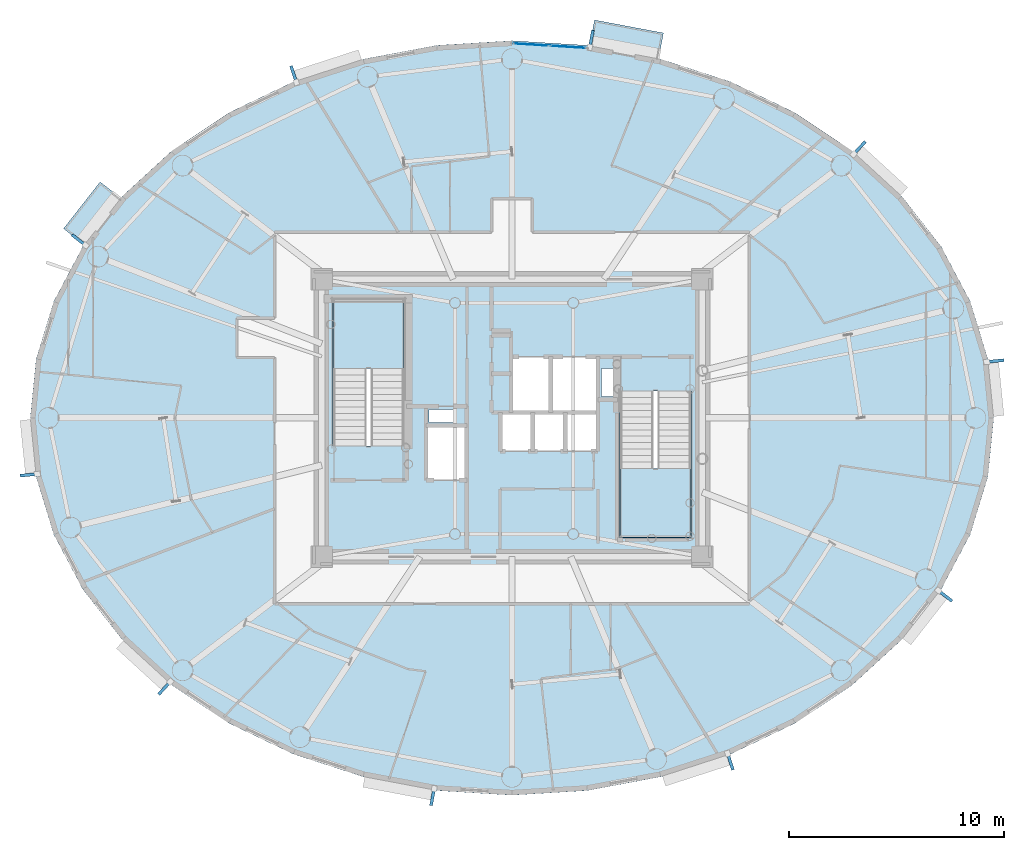
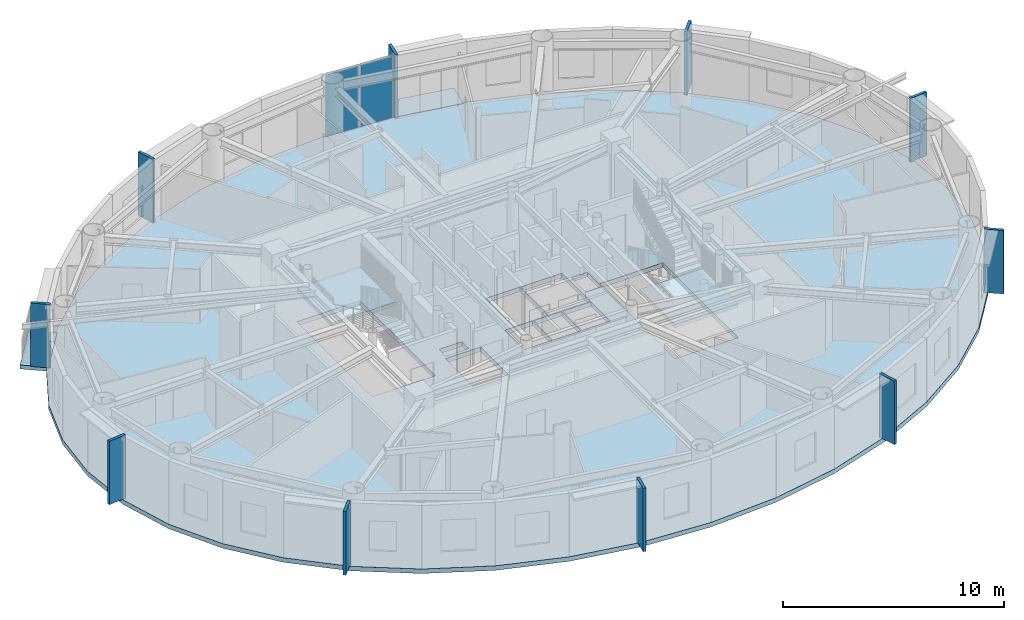
# One storey, part 5 of 18: 12 plates, 5 slabs, 3 elements without a shape of their own.
"""IFC4 building model written with IfcOpenShell, lengths in metres."""

import ifcopenshell
import ifcopenshell.guid

model = None  # the IFC model being written
_history = None  # IfcOwnerHistory: only IFC2X3 demands one
_inside = {}  # id of a spatial element -> (the spatial element, [elements in it])
_under = {}  # id of a project, library or spatial element -> (it, [spatial elements below it])
_declared = {}  # id of a project -> (the project, [libraries it declares])
_typed = {}  # id of a type object -> (the type object, [elements of that type])
_made_of = {}  # id of a material, layer set ... -> (it, [elements and type objects made of it])


def new_model(schema):
    """Start an empty IFC model of exactly this schema.

    Asked for "IFC4X3", IfcOpenShell would pick the latest addendum, in which some entities
    have other attributes; the version numbers below select the first issue.
    IFC2X3 requires an IfcOwnerHistory on every rooted entity: one is made here for all.
    """
    global model, _history
    if schema == "IFC4X3":
        model = ifcopenshell.file(schema_version=(4, 3, 0, 0))
    else:
        model = ifcopenshell.file(schema=schema)
    _inside.clear()
    _under.clear()
    _declared.clear()
    _typed.clear()
    _made_of.clear()
    _history = None
    if model.schema == "IFC2X3":
        org = make("IfcOrganization", Name="unknown")
        user = make(
            "IfcPersonAndOrganization",
            ThePerson=make("IfcPerson", FamilyName="unknown"),
            TheOrganization=org,
        )
        app = make(
            "IfcApplication",
            ApplicationDeveloper=org,
            Version="unknown",
            ApplicationFullName="unknown",
            ApplicationIdentifier="unknown",
        )
        _history = make(
            "IfcOwnerHistory",
            OwningUser=user,
            OwningApplication=app,
            ChangeAction="ADDED",
            CreationDate=0,
        )
    return model


def make(cls, **values):
    """One entity of the class cls with the attributes given. An attribute that is None is left unset."""
    return model.create_entity(
        cls, **{name: value for name, value in values.items() if value is not None}
    )


def rooted(cls, **values):
    """An entity with a GlobalId (a new one), such as an element, a storey or a relation."""
    return make(cls, GlobalId=ifcopenshell.guid.new(), OwnerHistory=_history, **values)


def si_unit(unit_type, name, prefix=None):
    """IfcSIUnit, for example si_unit("LENGTHUNIT", "METRE", prefix="MILLI")."""
    return make("IfcSIUnit", UnitType=unit_type, Prefix=prefix, Name=name)


def assignment(units):
    """IfcUnitAssignment: the units of a project."""
    return None if units is None else make("IfcUnitAssignment", Units=units)


def point(xyz):
    """IfcCartesianPoint."""
    return None if xyz is None else make("IfcCartesianPoint", Coordinates=xyz)


def direction(xyz):
    """IfcDirection."""
    return None if xyz is None else make("IfcDirection", DirectionRatios=xyz)


def frame(location, z_axis=None, x_axis=None):
    """IfcAxis2Placement3D, a coordinate frame: its origin and axes. An axis left out is left unset."""
    return make(
        "IfcAxis2Placement3D",
        Location=point(location),
        Axis=direction(z_axis),
        RefDirection=direction(x_axis),
    )


def frame_2d(location, x_axis=None):
    """IfcAxis2Placement2D, a coordinate frame in the plane: its origin and x axis."""
    return make(
        "IfcAxis2Placement2D", Location=point(location), RefDirection=direction(x_axis)
    )


def origin():
    """The frame at (0, 0, 0) with its axes left unset."""
    return frame((0.0, 0.0, 0.0))


def origin_2d():
    """The frame at (0, 0) in the plane with its x axis left unset."""
    return frame_2d((0.0, 0.0))


def place(relative_to, where):
    """IfcLocalPlacement: puts the frame where relative to a parent placement (None: the world)."""
    return make(
        "IfcLocalPlacement", PlacementRelTo=relative_to, RelativePlacement=where
    )


def context(
    kind, dimensions, precision=None, world=None, true_north=None, identifier=None
):
    """IfcGeometricRepresentationContext, for example the 3D "Model" context."""
    return make(
        "IfcGeometricRepresentationContext",
        ContextIdentifier=identifier,
        ContextType=kind,
        CoordinateSpaceDimension=dimensions,
        Precision=precision,
        WorldCoordinateSystem=world,
        TrueNorth=true_north,
    )


def subcontext(parent, identifier, kind, view, scale=None):
    """IfcGeometricRepresentationSubContext, for example "Body" below "Model"."""
    return make(
        "IfcGeometricRepresentationSubContext",
        ContextIdentifier=identifier,
        ContextType=kind,
        ParentContext=parent,
        TargetScale=scale,
        TargetView=view,
    )


def project(units=None, contexts=None):
    """IfcProject with its units and contexts."""
    return rooted(
        "IfcProject",
        Name="project",
        RepresentationContexts=contexts,
        UnitsInContext=assignment(units),
    )


def spatial(cls, under=None, at=None, **own):
    """A site, building, storey or space (cls), placed at a placement, below another one or the project."""
    s = rooted(cls, ObjectPlacement=at, **own)
    if under is not None:
        _under.setdefault(under.id(), (under, []))[1].append(s)
    return s


def polyline(points):
    """IfcPolyline through the points."""
    return make("IfcPolyline", Points=[point(p) for p in points])


def profile(cls, at=None, kind="AREA", **sizes):
    """A parametric profile (cls). Its sizes go by their IFC names, for example OverallWidth=200.0."""
    return make(cls, ProfileType=kind, Position=at, **sizes)


def rectangle(**sizes):
    """IfcRectangleProfileDef."""
    return profile("IfcRectangleProfileDef", **sizes)


def outline(outer, holes=None, kind="AREA"):
    """IfcArbitraryClosedProfileDef: a profile drawn as a closed curve; with holes, ...WithVoids."""
    if holes is None:
        return make("IfcArbitraryClosedProfileDef", ProfileType=kind, OuterCurve=outer)
    return make(
        "IfcArbitraryProfileDefWithVoids",
        ProfileType=kind,
        OuterCurve=outer,
        InnerCurves=holes,
    )


def extrude(swept, where, along, depth):
    """IfcExtrudedAreaSolid: the profile swept, set in the frame where, extruded along a direction by depth."""
    return make(
        "IfcExtrudedAreaSolid",
        SweptArea=swept,
        Position=where,
        ExtrudedDirection=direction(along),
        Depth=depth,
    )


def shape(context_of_items, identifier, shape_type, items):
    """IfcShapeRepresentation: the items that make up one representation, for example the "Body"."""
    return make(
        "IfcShapeRepresentation",
        ContextOfItems=context_of_items,
        RepresentationIdentifier=identifier,
        RepresentationType=shape_type,
        Items=items,
    )


def source(mapping_origin, context_of_items, identifier, shape_type, items):
    """IfcRepresentationMap: a shape defined once, which mapped items show again and again."""
    return make(
        "IfcRepresentationMap",
        MappingOrigin=mapping_origin,
        MappedRepresentation=shape(context_of_items, identifier, shape_type, items),
    )


def transform(
    local_origin,
    x_axis=None,
    y_axis=None,
    z_axis=None,
    scale=None,
    scale2=None,
    scale3=None,
    uniform=True,
):
    """IfcCartesianTransformationOperator3D, or its non-uniform kind. x_axis, y_axis, z_axis: its Axis1, 2, 3."""
    if uniform:
        return make(
            "IfcCartesianTransformationOperator3D",
            Axis1=direction(x_axis),
            Axis2=direction(y_axis),
            LocalOrigin=point(local_origin),
            Scale=scale,
            Axis3=direction(z_axis),
        )
    return make(
        "IfcCartesianTransformationOperator3DnonUniform",
        Axis1=direction(x_axis),
        Axis2=direction(y_axis),
        LocalOrigin=point(local_origin),
        Scale=scale,
        Axis3=direction(z_axis),
        Scale2=scale2,
        Scale3=scale3,
    )


def mapped(mapping_source, mapping_target):
    """IfcMappedItem: shows the shape of a source again, moved by a transform."""
    return make(
        "IfcMappedItem", MappingSource=mapping_source, MappingTarget=mapping_target
    )


def material(Name=None, Category=None):
    """IfcMaterial."""
    return make("IfcMaterial", Name=Name, Category=Category)


def layer(
    of_material, thickness, ventilated=None, Name=None, Category=None, Priority=None
):
    """IfcMaterialLayer: one layer of a wall or slab, of a material (None: an air gap)."""
    return make(
        "IfcMaterialLayer",
        Material=of_material,
        LayerThickness=thickness,
        IsVentilated=ventilated,
        Name=Name,
        Category=Category,
        Priority=Priority,
    )


def layer_set(layers, Name=None):
    """IfcMaterialLayerSet."""
    return make("IfcMaterialLayerSet", MaterialLayers=layers, LayerSetName=Name)


def made_of(thing, what):
    """Note that an element or type object is made of a material, layer set ...; save() writes the relation."""
    if what is not None:
        _made_of.setdefault(what.id(), (what, []))[1].append(thing)
    return thing


def type_object(cls, material=None, **own):
    """A type object (cls), such as IfcWallType, which elements share."""
    return made_of(rooted(cls, **own), material)


def element(
    cls,
    number,
    at=None,
    inside=None,
    cuts=None,
    type_object=None,
    material=None,
    context=None,
    identifier="Body",
    shape_type=None,
    held_by="IfcProductDefinitionShape",
    body=None,
    shapes=None,
    **own,
):
    """One element of the class cls, such as IfcWall. Its Tag is "e" and its number.

    at: its placement. inside: the storey or other place that contains it. cuts: it is an
    opening in that element (IfcRelVoidsElement). A single representation is given by context,
    identifier, shape_type and body (its items); several are given by shapes. held_by: the class
    of the entity that holds the representations. save() writes the other relations.
    """
    e = rooted(cls, Tag="e%d" % number, ObjectPlacement=at, **own)
    if body is not None:
        shapes = [shape(context, identifier, shape_type, body)]
    if shapes is not None:
        e.Representation = make(held_by, Representations=shapes)
    if inside is not None:
        _inside.setdefault(inside.id(), (inside, []))[1].append(e)
    if cuts is not None:
        rooted(
            "IfcRelVoidsElement", RelatingBuildingElement=cuts, RelatedOpeningElement=e
        )
    if type_object is not None:
        _typed.setdefault(type_object.id(), (type_object, []))[1].append(e)
    return made_of(e, material)


def aggregate(whole, parts):
    """IfcRelAggregates: a whole, such as a stair, and the parts it consists of."""
    return rooted("IfcRelAggregates", RelatingObject=whole, RelatedObjects=parts)


def save(model, path):
    """Write the relations noted so far, then the file.

    IfcRelAggregates (storeys below a building ...), IfcRelContainedInSpatialStructure (elements
    in a storey), IfcRelDefinesByType, IfcRelAssociatesMaterial and IfcRelDeclares: one each for
    every whole, place, type object, material and project.
    """
    for whole, parts in _under.values():
        aggregate(whole, parts)
    for where, things in _inside.values():
        rooted(
            "IfcRelContainedInSpatialStructure",
            RelatedElements=things,
            RelatingStructure=where,
        )
    for kind, things in _typed.values():
        rooted("IfcRelDefinesByType", RelatedObjects=things, RelatingType=kind)
    for what, things in _made_of.values():
        rooted("IfcRelAssociatesMaterial", RelatedObjects=things, RelatingMaterial=what)
    for by, libraries in _declared.values():
        rooted("IfcRelDeclares", RelatingContext=by, RelatedDefinitions=libraries)
    model.write(path)


model = new_model("IFC4")

# Units and contexts
model_context = context("Model", 3, precision=1e-05, world=origin(), true_north=direction((0.0, 1.0)))
body_context = subcontext(model_context, "Body", "Model", "MODEL_VIEW")
ifc_project = project(units=[si_unit("LENGTHUNIT", "METRE"), si_unit("AREAUNIT", "SQUARE_METRE"), si_unit("VOLUMEUNIT", "CUBIC_METRE"), si_unit("PLANEANGLEUNIT", "RADIAN"), si_unit("MASSUNIT", "GRAM", prefix="KILO")], contexts=[model_context])

# Site, building, storey
site_placement = place(None, origin())
site = spatial("IfcSite", under=ifc_project, at=site_placement, CompositionType="ELEMENT")
building_placement = place(site_placement, origin())
building = spatial("IfcBuilding", under=site, at=building_placement, Name="Linh Dai School and Residence Tower", CompositionType="ELEMENT")
storey_placement = place(building_placement, frame((0.0, 0.0, 291.75)))
storey = spatial("IfcBuildingStorey", under=building, at=storey_placement, Name="L72", CompositionType="ELEMENT", Elevation=291.75)

# Slabs
ifc_material_1 = material(Name="Concrete B45 (C35/45)", Category="concrete")
ifc_layer_1 = layer(ifc_material_1, 0.219970703125)
ifc_layer_set_1 = layer_set([ifc_layer_1], Name="Concrete B45 (C35/45)")
slab_type_1 = type_object("IfcSlabType", Name="SLB-BALC-220", PredefinedType="FLOOR", material=ifc_layer_set_1)
slab_1_placement = place(storey_placement, frame((0.0, 0.0, -0.219970703125)))
element("IfcSlab", 1, at=slab_1_placement, inside=storey, type_object=slab_type_1, Name="L72 Sliding Balcony Slab 09", PredefinedType="FLOOR", context=body_context, shape_type="SweptSolid", body=[
    extrude(outline(polyline([(39.595458984375, 44.225830078125), (42.80126953125, 43.623046875), (43.041259765625, 44.900634765625), (39.83544921875, 45.50341796875), (39.595458984375, 44.225830078125)])), origin(), (0.0, 0.0, 1.0), 0.219970703125),
])
slab_2_placement = place(storey_placement, frame((0.0, 0.0, -0.219970703125)))
element("IfcSlab", 2, at=slab_2_placement, inside=storey, type_object=slab_type_1, Name="L72 Sliding Balcony Slab 17", PredefinedType="FLOOR", context=body_context, shape_type="SweptSolid", body=[
    extrude(outline(polyline([(16.17236328125, 35.001220703125), (17.87255859375, 37.173828125), (16.848876953125, 37.974853515625), (15.148681640625, 35.802490234375), (16.17236328125, 35.001220703125)])), origin(), (0.0, 0.0, 1.0), 0.219970703125),
])
ifc_layer_2 = layer(ifc_material_1, 0.25)
ifc_layer_set_2 = layer_set([ifc_layer_2], Name="Concrete B45 (C35/45)")
slab_type_2 = type_object("IfcSlabType", Name="SLB-FLR250", PredefinedType="FLOOR", material=ifc_layer_set_2)
slab_3_placement = place(storey_placement, frame((0.0, 0.0, -0.25)))
element("IfcSlab", 3, at=slab_3_placement, inside=storey, type_object=slab_type_2, Name="L72 Composite Structural Floor Slab", PredefinedType="FLOOR", context=body_context, shape_type="SweptSolid", body=[
    extrude(outline(polyline([(58.39990234375, 27.0), (58.124267578125, 29.743896484375), (57.3037109375, 32.420166015625), (55.95849609375, 34.962890625), (54.1220703125, 37.309814453125), (51.839111328125, 39.402587890625), (49.16650390625, 41.190185546875), (46.16943359375, 42.628173828125), (42.921875, 43.681640625), (39.504150390625, 44.323974609375), (36.0, 44.5400390625), (32.495849609375, 44.323974609375), (29.078125, 43.681640625), (25.83056640625, 42.628173828125), (22.83349609375, 41.190185546875), (20.160888671875, 39.402587890625), (17.8779296875, 37.309814453125), (16.04150390625, 34.962890625), (14.6962890625, 32.420166015625), (13.875732421875, 29.743896484375), (13.60009765625, 27.0), (13.875732421875, 24.256103515625), (14.6962890625, 21.579833984375), (16.04150390625, 19.037109375), (17.8779296875, 16.690185546875), (20.160888671875, 14.597412109375), (22.83349609375, 12.809814453125), (25.83056640625, 11.371826171875), (29.078125, 10.318359375), (32.495849609375, 9.676025390625), (36.0, 9.4599609375), (39.504150390625, 9.676025390625), (42.921875, 10.318359375), (46.16943359375, 11.371826171875), (49.16650390625, 12.809814453125), (51.839111328125, 14.597412109375), (54.1220703125, 16.690185546875), (55.95849609375, 19.037109375), (57.3037109375, 21.579833984375), (58.124267578125, 24.256103515625), (58.39990234375, 27.0)]), holes=[polyline([(30.97998046875, 25.699951171875), (30.97998046875, 32.5), (27.679931640625, 32.5), (27.679931640625, 25.699951171875), (30.97998046875, 25.699951171875)]), polyline([(41.02001953125, 28.25), (41.02001953125, 21.449951171875), (44.320068359375, 21.449951171875), (44.320068359375, 28.25), (41.02001953125, 28.25)]), polyline([(35.97998046875, 27.280029296875), (37.77001953125, 27.280029296875), (37.77001953125, 29.820068359375), (35.97998046875, 29.820068359375), (35.97998046875, 27.280029296875)]), polyline([(32.030029296875, 24.1298828125), (33.8701171875, 24.1298828125), (33.8701171875, 26.6201171875), (32.030029296875, 26.6201171875), (32.030029296875, 24.1298828125)]), polyline([(37.830078125, 27.280029296875), (39.969970703125, 27.280029296875), (39.969970703125, 29.820068359375), (37.830078125, 29.820068359375), (37.830078125, 27.280029296875)]), polyline([(35.47998046875, 25.47998046875), (36.929931640625, 25.47998046875), (36.929931640625, 27.219970703125), (35.47998046875, 27.219970703125), (35.47998046875, 25.47998046875)]), polyline([(36.989990234375, 25.47998046875), (38.449951171875, 25.47998046875), (38.449951171875, 27.219970703125), (36.989990234375, 27.219970703125), (36.989990234375, 25.47998046875)]), polyline([(38.510009765625, 25.47998046875), (39.969970703125, 25.47998046875), (39.969970703125, 27.219970703125), (38.510009765625, 27.219970703125), (38.510009765625, 25.47998046875)]), polyline([(40.14990234375, 28.0), (40.14990234375, 29.300048828125), (41.0, 29.300048828125), (41.0, 28.280029296875), (40.989990234375, 28.280029296875), (40.989990234375, 28.0), (40.14990234375, 28.0)]), polyline([(32.14990234375, 26.800048828125), (33.35009765625, 26.800048828125), (33.35009765625, 27.39990234375), (32.14990234375, 27.39990234375), (32.14990234375, 26.800048828125)])]), origin(), (0.0, 0.0, 1.0), 0.25),
])

# Stair, slab
stair_type = type_object("IfcStairType", Name="ST-DOG-1550-R1442", PredefinedType="HALF_TURN_STAIR", material=ifc_material_1)
stair_1_placement = place(storey_placement, origin())
stair_1 = element("IfcStair", 4, at=stair_1_placement, inside=storey, type_object=stair_type, Name="L72 Core Smokeproof Exit Stair ST1", PredefinedType="HALF_TURN_STAIR")
ifc_layer_3 = layer(ifc_material_1, 0.199951171875)
ifc_layer_set_3 = layer_set([ifc_layer_3], Name="Concrete B45 (C35/45)")
slab_type_3 = type_object("IfcSlabType", Name="SLB-ST-LANDING-200", PredefinedType="LANDING", material=ifc_layer_set_3)
slab_4_placement = place(storey_placement, frame((0.0, 0.0, 1.675048828125)))
slab_4 = element("IfcSlab", 5, at=slab_4_placement, type_object=slab_type_3, Name="ST1 landing 1", PredefinedType="LANDING", context=body_context, shape_type="SweptSolid", body=[
    extrude(outline(polyline([(30.97998046875, 29.300048828125), (30.97998046875, 32.5), (27.679931640625, 32.5), (27.679931640625, 29.300048828125), (30.97998046875, 29.300048828125)])), origin(), (0.0, 0.0, 1.0), 0.199951171875),
])
aggregate(stair_1, [slab_4])

stair_2_placement = place(storey_placement, origin())
stair_2 = element("IfcStair", 6, at=stair_2_placement, inside=storey, type_object=stair_type, Name="L72 Core Smokeproof Exit Stair ST2", PredefinedType="HALF_TURN_STAIR")
slab_5_placement = place(storey_placement, frame((0.0, 0.0, 1.675048828125)))
slab_5 = element("IfcSlab", 7, at=slab_5_placement, type_object=slab_type_3, Name="ST2 landing 1", PredefinedType="LANDING", context=body_context, shape_type="SweptSolid", body=[
    extrude(outline(polyline([(41.02001953125, 24.64990234375), (41.02001953125, 21.449951171875), (44.320068359375, 21.449951171875), (44.320068359375, 24.64990234375), (41.02001953125, 24.64990234375)])), origin(), (0.0, 0.0, 1.0), 0.199951171875),
])
aggregate(stair_2, [slab_5])

# Plates
ifc_material_2 = material(Name="Precast Concrete B45 (C35/45)", Category="concrete")
ifc_layer_4 = layer(ifc_material_2, 0.139892578125)
ifc_layer_set_4 = layer_set([ifc_layer_4], Name="Precast Concrete B45 (C35/45)")
plate_type_1 = type_object("IfcPlateType", Name="FIN-TC-900x140", PredefinedType="USERDEFINED", material=ifc_layer_set_4)
shared_shape_1 = source(origin(), body_context, "Body", "SweptSolid", [
    extrude(rectangle(XDim=0.89990234375, YDim=0.139892578125, at=origin_2d()), origin(), (0.0, 0.0, 1.0), 3.5),
])
for number, where, z_axis, x_axis, name in (
    (8, (58.421630859375, 29.640625, 0.0), (0.0, 0.0, 1.0), (0.994986629598, 0.100008034283, 0.0), "L72 Precast Terracotta Radial Fin 01"),
    (9, (52.127685546875, 39.525390625, 0.0), (0.0, 0.0, 1.0), (0.67577730889, 0.737105846394, 0.0), "L72 Precast Terracotta Radial Fin 05"),
    (10, (39.682373046875, 44.580810546875, 0.0), (0.0, 0.0, 1.0), (0.184751197452, 0.982785325002, 0.0), "L72 Precast Terracotta Radial Fin 09"),
    (11, (25.864501953125, 42.939208984375, 0.0), (0.0, 0.0, 1.0), (-0.308518805176, 0.951218243545, 0.0), "L72 Precast Terracotta Radial Fin 13"),
    (12, (15.897216796875, 35.241943359375, 0.0), (0.0, 0.0, 1.0), (-0.78750300393, 0.616310813471, 0.0), "L72 Precast Terracotta Radial Fin 17"),
    (13, (13.578369140625, 24.359375, 0.0), (0.0, 0.0, 1.0), (-0.994986629598, -0.100008034283, 0.0), "L72 Precast Terracotta Radial Fin 21"),
    (14, (19.872314453125, 14.474609375, 0.0), (0.0, 0.0, 1.0), (-0.675779074535, -0.737104227651, 0.0), "L72 Precast Terracotta Radial Fin 25"),
    (15, (32.317626953125, 9.419189453125, 0.0), (0.0, 0.0, 1.0), (-0.184751197452, -0.982785325002, 0.0), "L72 Precast Terracotta Radial Fin 29"),
    (16, (46.135498046875, 11.060791015625, 0.0), (0.0, 0.0, 1.0), (0.308518805176, -0.951218243545, 0.0), "L72 Precast Terracotta Radial Fin 33"),
    (17, (56.102783203125, 18.758056640625, 0.0), (0.0, 0.0, 1.0), (0.78750300393, -0.616310813471, 0.0), "L72 Precast Terracotta Radial Fin 37"),
):
    element("IfcPlate", number, at=place(storey_placement, frame(where, z_axis=z_axis, x_axis=x_axis)), inside=storey, type_object=plate_type_1, Name=name, ObjectType="RADIAL FIN", PredefinedType="USERDEFINED", context=body_context, shape_type="MappedRepresentation", body=[
        mapped(shared_shape_1, transform((0.0, 0.0, 0.0), x_axis=(1.0, 0.0, 0.0), y_axis=(0.0, 1.0, 0.0), z_axis=(0.0, 0.0, 1.0), scale=1.0)),
    ])

# Curtain wall, plates
ifc_material_3 = material(Name="Aluminium Anodised Curtain Wall", Category="aluminium")
ifc_layer_5 = layer(ifc_material_3, 0.14990234375)
ifc_layer_set_5 = layer_set([ifc_layer_5], Name="Aluminium Anodised Curtain Wall")
curtain_wall_type = type_object("IfcCurtainWallType", Name="CW-SYS-4", PredefinedType="USERDEFINED", material=ifc_layer_set_5)
curtain_wall_placement = place(storey_placement, origin())
curtain_wall = element("IfcCurtainWall", 18, at=curtain_wall_placement, inside=storey, type_object=curtain_wall_type, Name="L72 CW4 Curtain Wall 10", ObjectType="RIBBON CURTAIN WALL", PredefinedType="USERDEFINED")
ifc_material_4 = material(Name="Double Low-E Insulated Glazing", Category="glass")
ifc_layer_6 = layer(ifc_material_4, 0.02587890625)
ifc_layer_set_6 = layer_set([ifc_layer_6], Name="Double Low-E Insulated Glazing")
plate_type_2 = type_object("IfcPlateType", Name="CW-SYS-4-PAN", PredefinedType="CURTAIN_PANEL", material=ifc_layer_set_6)
shared_shape_2 = source(origin(), body_context, "Body", "SweptSolid", [
    extrude(rectangle(XDim=1.669677734375, YDim=0.02587890625, at=origin_2d()), origin(), (0.0, 0.0, 1.0), 3.39599609375),
])
plate_1_placement = place(storey_placement, frame((36.88525390625, 44.3603515625, 0.052001953125), z_axis=(0.0, 0.0, 1.0), x_axis=(0.998106469364, -0.061509965157, 0.0)))
plate_1 = element("IfcPlate", 19, at=plate_1_placement, type_object=plate_type_2, Name="CW4 panel 1.1", PredefinedType="CURTAIN_PANEL", context=body_context, shape_type="MappedRepresentation", body=[
    mapped(shared_shape_2, transform((0.0, 0.0, 0.0), x_axis=(1.0, 0.0, 0.0), y_axis=(0.0, 1.0, 0.0), z_axis=(0.0, 0.0, 1.0), scale=1.0)),
])
plate_2_placement = place(storey_placement, frame((38.603515625, 44.254638671875, 0.052001953125), z_axis=(0.0, 0.0, 1.0), x_axis=(0.998106469364, -0.061509965157, 0.0)))
plate_2 = element("IfcPlate", 20, at=plate_2_placement, type_object=plate_type_2, Name="CW4 panel 2.1", PredefinedType="CURTAIN_PANEL", context=body_context, shape_type="MappedRepresentation", body=[
    mapped(shared_shape_2, transform((0.0, 0.0, 0.0), x_axis=(1.0, 0.0, 0.0), y_axis=(0.0, 1.0, 0.0), z_axis=(0.0, 0.0, 1.0), scale=1.0)),
])
aggregate(curtain_wall, [plate_1, plate_2])

save(model, "model.ifc")
